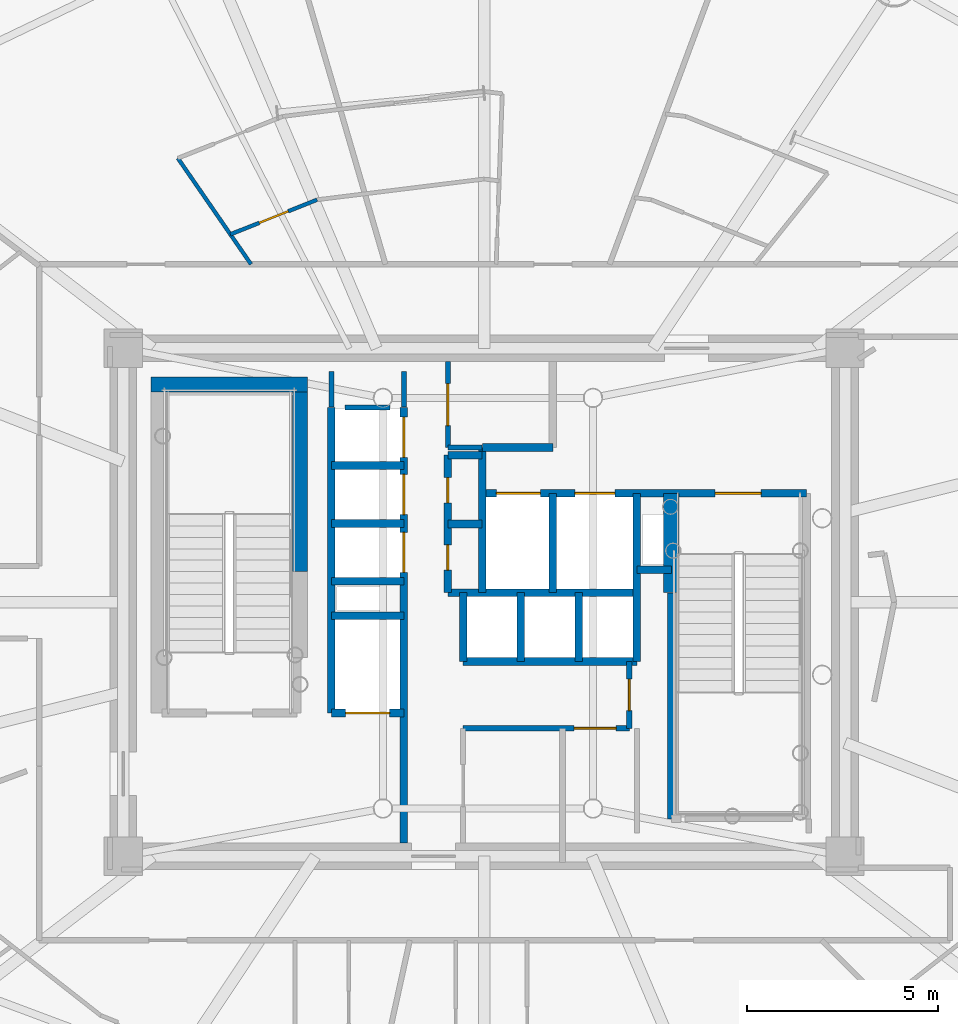
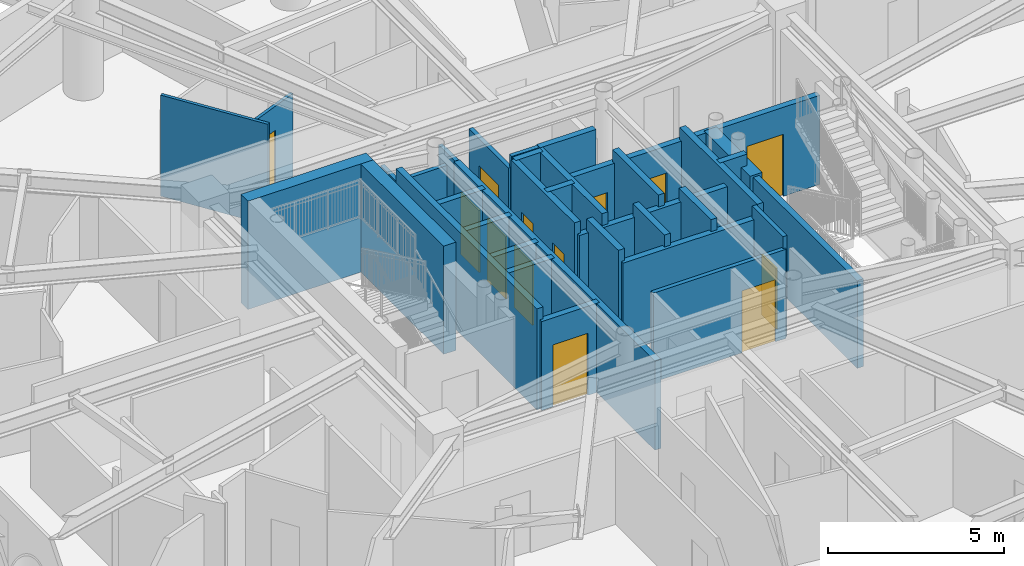
# One storey, part 11 of 22: 34 walls, 13 doors, 13 openings.
"""IFC4 building model written with IfcOpenShell, lengths in metres."""

import ifcopenshell
import ifcopenshell.guid

model = None  # the IFC model being written
_history = None  # IfcOwnerHistory: only IFC2X3 demands one
_inside = {}  # id of a spatial element -> (the spatial element, [elements in it])
_under = {}  # id of a project, library or spatial element -> (it, [spatial elements below it])
_declared = {}  # id of a project -> (the project, [libraries it declares])
_typed = {}  # id of a type object -> (the type object, [elements of that type])
_made_of = {}  # id of a material, layer set ... -> (it, [elements and type objects made of it])


def new_model(schema):
    """Start an empty IFC model of exactly this schema.

    Asked for "IFC4X3", IfcOpenShell would pick the latest addendum, in which some entities
    have other attributes; the version numbers below select the first issue.
    IFC2X3 requires an IfcOwnerHistory on every rooted entity: one is made here for all.
    """
    global model, _history
    if schema == "IFC4X3":
        model = ifcopenshell.file(schema_version=(4, 3, 0, 0))
    else:
        model = ifcopenshell.file(schema=schema)
    _inside.clear()
    _under.clear()
    _declared.clear()
    _typed.clear()
    _made_of.clear()
    _history = None
    if model.schema == "IFC2X3":
        org = make("IfcOrganization", Name="unknown")
        user = make(
            "IfcPersonAndOrganization",
            ThePerson=make("IfcPerson", FamilyName="unknown"),
            TheOrganization=org,
        )
        app = make(
            "IfcApplication",
            ApplicationDeveloper=org,
            Version="unknown",
            ApplicationFullName="unknown",
            ApplicationIdentifier="unknown",
        )
        _history = make(
            "IfcOwnerHistory",
            OwningUser=user,
            OwningApplication=app,
            ChangeAction="ADDED",
            CreationDate=0,
        )
    return model


def make(cls, **values):
    """One entity of the class cls with the attributes given. An attribute that is None is left unset."""
    return model.create_entity(
        cls, **{name: value for name, value in values.items() if value is not None}
    )


def rooted(cls, **values):
    """An entity with a GlobalId (a new one), such as an element, a storey or a relation."""
    return make(cls, GlobalId=ifcopenshell.guid.new(), OwnerHistory=_history, **values)


def si_unit(unit_type, name, prefix=None):
    """IfcSIUnit, for example si_unit("LENGTHUNIT", "METRE", prefix="MILLI")."""
    return make("IfcSIUnit", UnitType=unit_type, Prefix=prefix, Name=name)


def assignment(units):
    """IfcUnitAssignment: the units of a project."""
    return None if units is None else make("IfcUnitAssignment", Units=units)


def point(xyz):
    """IfcCartesianPoint."""
    return None if xyz is None else make("IfcCartesianPoint", Coordinates=xyz)


def direction(xyz):
    """IfcDirection."""
    return None if xyz is None else make("IfcDirection", DirectionRatios=xyz)


def frame(location, z_axis=None, x_axis=None):
    """IfcAxis2Placement3D, a coordinate frame: its origin and axes. An axis left out is left unset."""
    return make(
        "IfcAxis2Placement3D",
        Location=point(location),
        Axis=direction(z_axis),
        RefDirection=direction(x_axis),
    )


def frame_2d(location, x_axis=None):
    """IfcAxis2Placement2D, a coordinate frame in the plane: its origin and x axis."""
    return make(
        "IfcAxis2Placement2D", Location=point(location), RefDirection=direction(x_axis)
    )


def origin():
    """The frame at (0, 0, 0) with its axes left unset."""
    return frame((0.0, 0.0, 0.0))


def origin_2d():
    """The frame at (0, 0) in the plane with its x axis left unset."""
    return frame_2d((0.0, 0.0))


def place(relative_to, where):
    """IfcLocalPlacement: puts the frame where relative to a parent placement (None: the world)."""
    return make(
        "IfcLocalPlacement", PlacementRelTo=relative_to, RelativePlacement=where
    )


def context(
    kind, dimensions, precision=None, world=None, true_north=None, identifier=None
):
    """IfcGeometricRepresentationContext, for example the 3D "Model" context."""
    return make(
        "IfcGeometricRepresentationContext",
        ContextIdentifier=identifier,
        ContextType=kind,
        CoordinateSpaceDimension=dimensions,
        Precision=precision,
        WorldCoordinateSystem=world,
        TrueNorth=true_north,
    )


def subcontext(parent, identifier, kind, view, scale=None):
    """IfcGeometricRepresentationSubContext, for example "Body" below "Model"."""
    return make(
        "IfcGeometricRepresentationSubContext",
        ContextIdentifier=identifier,
        ContextType=kind,
        ParentContext=parent,
        TargetScale=scale,
        TargetView=view,
    )


def project(units=None, contexts=None):
    """IfcProject with its units and contexts."""
    return rooted(
        "IfcProject",
        Name="project",
        RepresentationContexts=contexts,
        UnitsInContext=assignment(units),
    )


def spatial(cls, under=None, at=None, **own):
    """A site, building, storey or space (cls), placed at a placement, below another one or the project."""
    s = rooted(cls, ObjectPlacement=at, **own)
    if under is not None:
        _under.setdefault(under.id(), (under, []))[1].append(s)
    return s


def profile(cls, at=None, kind="AREA", **sizes):
    """A parametric profile (cls). Its sizes go by their IFC names, for example OverallWidth=200.0."""
    return make(cls, ProfileType=kind, Position=at, **sizes)


def rectangle(**sizes):
    """IfcRectangleProfileDef."""
    return profile("IfcRectangleProfileDef", **sizes)


def extrude(swept, where, along, depth):
    """IfcExtrudedAreaSolid: the profile swept, set in the frame where, extruded along a direction by depth."""
    return make(
        "IfcExtrudedAreaSolid",
        SweptArea=swept,
        Position=where,
        ExtrudedDirection=direction(along),
        Depth=depth,
    )


def shape(context_of_items, identifier, shape_type, items):
    """IfcShapeRepresentation: the items that make up one representation, for example the "Body"."""
    return make(
        "IfcShapeRepresentation",
        ContextOfItems=context_of_items,
        RepresentationIdentifier=identifier,
        RepresentationType=shape_type,
        Items=items,
    )


def source(mapping_origin, context_of_items, identifier, shape_type, items):
    """IfcRepresentationMap: a shape defined once, which mapped items show again and again."""
    return make(
        "IfcRepresentationMap",
        MappingOrigin=mapping_origin,
        MappedRepresentation=shape(context_of_items, identifier, shape_type, items),
    )


def transform(
    local_origin,
    x_axis=None,
    y_axis=None,
    z_axis=None,
    scale=None,
    scale2=None,
    scale3=None,
    uniform=True,
):
    """IfcCartesianTransformationOperator3D, or its non-uniform kind. x_axis, y_axis, z_axis: its Axis1, 2, 3."""
    if uniform:
        return make(
            "IfcCartesianTransformationOperator3D",
            Axis1=direction(x_axis),
            Axis2=direction(y_axis),
            LocalOrigin=point(local_origin),
            Scale=scale,
            Axis3=direction(z_axis),
        )
    return make(
        "IfcCartesianTransformationOperator3DnonUniform",
        Axis1=direction(x_axis),
        Axis2=direction(y_axis),
        LocalOrigin=point(local_origin),
        Scale=scale,
        Axis3=direction(z_axis),
        Scale2=scale2,
        Scale3=scale3,
    )


def mapped(mapping_source, mapping_target):
    """IfcMappedItem: shows the shape of a source again, moved by a transform."""
    return make(
        "IfcMappedItem", MappingSource=mapping_source, MappingTarget=mapping_target
    )


def material(Name=None, Category=None):
    """IfcMaterial."""
    return make("IfcMaterial", Name=Name, Category=Category)


def layer(
    of_material, thickness, ventilated=None, Name=None, Category=None, Priority=None
):
    """IfcMaterialLayer: one layer of a wall or slab, of a material (None: an air gap)."""
    return make(
        "IfcMaterialLayer",
        Material=of_material,
        LayerThickness=thickness,
        IsVentilated=ventilated,
        Name=Name,
        Category=Category,
        Priority=Priority,
    )


def layer_set(layers, Name=None):
    """IfcMaterialLayerSet."""
    return make("IfcMaterialLayerSet", MaterialLayers=layers, LayerSetName=Name)


def made_of(thing, what):
    """Note that an element or type object is made of a material, layer set ...; save() writes the relation."""
    if what is not None:
        _made_of.setdefault(what.id(), (what, []))[1].append(thing)
    return thing


def type_object(cls, material=None, **own):
    """A type object (cls), such as IfcWallType, which elements share."""
    return made_of(rooted(cls, **own), material)


def element(
    cls,
    number,
    at=None,
    inside=None,
    cuts=None,
    type_object=None,
    material=None,
    context=None,
    identifier="Body",
    shape_type=None,
    held_by="IfcProductDefinitionShape",
    body=None,
    shapes=None,
    **own,
):
    """One element of the class cls, such as IfcWall. Its Tag is "e" and its number.

    at: its placement. inside: the storey or other place that contains it. cuts: it is an
    opening in that element (IfcRelVoidsElement). A single representation is given by context,
    identifier, shape_type and body (its items); several are given by shapes. held_by: the class
    of the entity that holds the representations. save() writes the other relations.
    """
    e = rooted(cls, Tag="e%d" % number, ObjectPlacement=at, **own)
    if body is not None:
        shapes = [shape(context, identifier, shape_type, body)]
    if shapes is not None:
        e.Representation = make(held_by, Representations=shapes)
    if inside is not None:
        _inside.setdefault(inside.id(), (inside, []))[1].append(e)
    if cuts is not None:
        rooted(
            "IfcRelVoidsElement", RelatingBuildingElement=cuts, RelatedOpeningElement=e
        )
    if type_object is not None:
        _typed.setdefault(type_object.id(), (type_object, []))[1].append(e)
    return made_of(e, material)


def fill(opening, filler):
    """IfcRelFillsElement: the door or window that sits in an opening."""
    return rooted(
        "IfcRelFillsElement",
        RelatingOpeningElement=opening,
        RelatedBuildingElement=filler,
    )


def aggregate(whole, parts):
    """IfcRelAggregates: a whole, such as a stair, and the parts it consists of."""
    return rooted("IfcRelAggregates", RelatingObject=whole, RelatedObjects=parts)


def save(model, path):
    """Write the relations noted so far, then the file.

    IfcRelAggregates (storeys below a building ...), IfcRelContainedInSpatialStructure (elements
    in a storey), IfcRelDefinesByType, IfcRelAssociatesMaterial and IfcRelDeclares: one each for
    every whole, place, type object, material and project.
    """
    for whole, parts in _under.values():
        aggregate(whole, parts)
    for where, things in _inside.values():
        rooted(
            "IfcRelContainedInSpatialStructure",
            RelatedElements=things,
            RelatingStructure=where,
        )
    for kind, things in _typed.values():
        rooted("IfcRelDefinesByType", RelatedObjects=things, RelatingType=kind)
    for what, things in _made_of.values():
        rooted("IfcRelAssociatesMaterial", RelatedObjects=things, RelatingMaterial=what)
    for by, libraries in _declared.values():
        rooted("IfcRelDeclares", RelatingContext=by, RelatedDefinitions=libraries)
    model.write(path)


model = new_model("IFC4")

# Units and contexts
model_context = context("Model", 3, precision=1e-05, world=origin(), true_north=direction((0.0, 1.0)))
body_context = subcontext(model_context, "Body", "Model", "MODEL_VIEW")
ifc_project = project(units=[si_unit("LENGTHUNIT", "METRE"), si_unit("AREAUNIT", "SQUARE_METRE"), si_unit("VOLUMEUNIT", "CUBIC_METRE"), si_unit("PLANEANGLEUNIT", "RADIAN"), si_unit("MASSUNIT", "GRAM", prefix="KILO")], contexts=[model_context])

# Site, building, storey
site_placement = place(None, origin())
site = spatial("IfcSite", under=ifc_project, at=site_placement, CompositionType="ELEMENT")
building_placement = place(site_placement, origin())
building = spatial("IfcBuilding", under=site, at=building_placement, Name="Linh Dai School and Residence Tower", CompositionType="ELEMENT")
storey_placement = place(building_placement, frame((0.0, 0.0, 214.050048828125)))
storey = spatial("IfcBuildingStorey", under=building, at=storey_placement, Name="L52", CompositionType="ELEMENT", Elevation=214.050048828125)

# Wall, opening, door
ifc_material_1 = material(Name="Autoclaved Aerated Concrete Blockwork", Category="masonry")
ifc_layer_1 = layer(ifc_material_1, 0.135009765625)
ifc_layer_set_1 = layer_set([ifc_layer_1], Name="Autoclaved Aerated Concrete Blockwork")
wall_type_1 = type_object("IfcWallType", Name="IW-CORR-135-EI90", PredefinedType="PARTITIONING", material=ifc_layer_set_1)
wall_1_placement = place(storey_placement, frame((35.050048828125, 31.050048828125, 0.0), z_axis=(0.0, 0.0, 1.0), x_axis=(0.0, 1.0, 0.0)))
wall_1 = element("IfcWall", 1, at=wall_1_placement, inside=storey, type_object=wall_type_1, Name="L52 Interior Partition Wall 049", PredefinedType="PARTITIONING", context=body_context, shape_type="SweptSolid", body=[
    extrude(rectangle(XDim=2.25, YDim=0.135009765625, at=frame_2d((1.125, 0.0))), origin(), (0.0, 0.0, 1.0), 3.0849609375),
])
opening_1_placement = place(wall_1_placement, frame((0.574951171875, 0.0, 0.0)))
opening_1 = element("IfcOpeningElement", 2, at=opening_1_placement, cuts=wall_1, Name="Opening D07", PredefinedType="OPENING", context=body_context, shape_type="SweptSolid", body=[
    extrude(rectangle(XDim=1.10009765625, YDim=2.14990234375, at=origin_2d()), frame((0.550048828125, 0.07763671875, 1.074951171875), z_axis=(0.0, -1.0, 0.0), x_axis=(1.0, 0.0, 0.0)), (0.0, 0.0, 1.0), 0.155029296875),
])
ifc_material_2 = material(Name="Fire-Rated Louvred Steel Plant Door", Category="steel")
door_type_1 = type_object("IfcDoorType", Name="DR-PLT-1100x2150-FD60S", OperationType="NOTDEFINED", PredefinedType="DOOR", material=ifc_material_2)
shared_shape_1 = source(origin(), body_context, "Body", "SweptSolid", [
    extrude(rectangle(XDim=1.10009765625, YDim=2.14990234375, at=origin_2d()), frame((0.550048828125, 0.02490234375, 1.074951171875), z_axis=(0.0, -1.0, 0.0), x_axis=(1.0, 0.0, 0.0)), (0.0, 0.0, 1.0), 0.050048828125),
])
door_1_placement = place(opening_1_placement, origin())
door_1 = element("IfcDoor", 3, at=door_1_placement, inside=storey, type_object=door_type_1, Name="L52 North BMS Switchroom Door", OperationType="SINGLE_SWING_LEFT", OverallHeight=2.14990234375, OverallWidth=1.10009765625, PredefinedType="DOOR", context=body_context, shape_type="MappedRepresentation", body=[
    mapped(shared_shape_1, transform((0.0, 0.0, 0.0), x_axis=(1.0, 0.0, 0.0), y_axis=(0.0, 1.0, 0.0), z_axis=(0.0, 0.0, 1.0), scale=1.0)),
])
fill(opening_1, door_1)

# Wall
wall_2_placement = place(storey_placement, frame((35.050048828125, 31.050048828125, 0.0), z_axis=(0.0, 0.0, 1.0), x_axis=(1.0, 0.0, 0.0)))
element("IfcWall", 4, at=wall_2_placement, inside=storey, type_object=wall_type_1, Name="L52 Interior Partition Wall 050", PredefinedType="PARTITIONING", context=body_context, shape_type="SweptSolid", body=[
    extrude(rectangle(XDim=0.89990234375, YDim=0.135009765625, at=frame_2d((0.449951171875, 0.0))), origin(), (0.0, 0.0, 1.0), 3.5),
])

# Wall, opening, door
wall_3_placement = place(storey_placement, frame((35.449951171875, 23.699951171875, 0.0), z_axis=(0.0, 0.0, 1.0), x_axis=(1.0, 0.0, 0.0)))
wall_3 = element("IfcWall", 5, at=wall_3_placement, inside=storey, type_object=wall_type_1, Name="L52 Interior Partition Wall 053", PredefinedType="PARTITIONING", context=body_context, shape_type="SweptSolid", body=[
    extrude(rectangle(XDim=4.35009765625, YDim=0.135009765625, at=frame_2d((2.175048828125, 0.0))), origin(), (0.0, 0.0, 1.0), 3.0849609375),
])
opening_2_placement = place(wall_3_placement, frame((2.905029296875, 0.0, 0.0)))
opening_2 = element("IfcOpeningElement", 6, at=opening_2_placement, cuts=wall_3, Name="Opening D07", PredefinedType="OPENING", context=body_context, shape_type="SweptSolid", body=[
    extrude(rectangle(XDim=1.10009765625, YDim=2.14990234375, at=origin_2d()), frame((0.550048828125, 0.07763671875, 1.074951171875), z_axis=(0.0, -1.0, 0.0), x_axis=(1.0, 0.0, 0.0)), (0.0, 0.0, 1.0), 0.155029296875),
])
door_2_placement = place(opening_2_placement, origin())
door_2 = element("IfcDoor", 7, at=door_2_placement, inside=storey, type_object=door_type_1, Name="L52 Telecom Node Room Door", OperationType="SINGLE_SWING_RIGHT", OverallHeight=2.14990234375, OverallWidth=1.10009765625, PredefinedType="DOOR", context=body_context, shape_type="MappedRepresentation", body=[
    mapped(shared_shape_1, transform((0.0, 0.0, 0.0), x_axis=(1.0, 0.0, 0.0), y_axis=(0.0, 1.0, 0.0), z_axis=(0.0, 0.0, 1.0), scale=1.0)),
])
fill(opening_2, door_2)

wall_4_placement = place(storey_placement, frame((39.800048828125, 23.699951171875, 0.0), z_axis=(0.0, 0.0, 1.0), x_axis=(0.0, 1.0, 0.0)))
wall_4 = element("IfcWall", 8, at=wall_4_placement, inside=storey, type_object=wall_type_1, Name="L52 Interior Partition Wall 071", PredefinedType="PARTITIONING", context=body_context, shape_type="SweptSolid", body=[
    extrude(rectangle(XDim=1.75, YDim=0.135009765625, at=frame_2d((0.875, 0.0))), origin(), (0.0, 0.0, 1.0), 3.5),
])
opening_3_placement = place(wall_4_placement, frame((0.465087890625, 0.0, 0.0)))
opening_3 = element("IfcOpeningElement", 9, at=opening_3_placement, cuts=wall_4, Name="Opening D06", PredefinedType="OPENING", context=body_context, shape_type="SweptSolid", body=[
    extrude(rectangle(XDim=0.820068359375, YDim=2.10009765625, at=origin_2d()), frame((0.41015625, 0.07763671875, 1.050048828125), z_axis=(0.0, -1.0, 0.0), x_axis=(1.0, 0.0, 0.0)), (0.0, 0.0, 1.0), 0.155029296875),
])
ifc_material_3 = material(Name="Moisture-Resistant Timber Bathroom Door", Category="wood")
door_type_2 = type_object("IfcDoorType", Name="DR-WET-820x2100", OperationType="NOTDEFINED", PredefinedType="DOOR", material=ifc_material_3)
shared_shape_2 = source(origin(), body_context, "Body", "SweptSolid", [
    extrude(rectangle(XDim=0.820068359375, YDim=2.10009765625, at=origin_2d()), frame((0.41015625, 0.02490234375, 1.050048828125), z_axis=(0.0, -1.0, 0.0), x_axis=(1.0, 0.0, 0.0)), (0.0, 0.0, 1.0), 0.050048828125),
])
door_3_placement = place(opening_3_placement, origin())
door_3 = element("IfcDoor", 10, at=door_3_placement, inside=storey, type_object=door_type_2, Name="L52 East Linen Store Door", OperationType="SINGLE_SWING_RIGHT", OverallHeight=2.10009765625, OverallWidth=0.820068359375, PredefinedType="DOOR", context=body_context, shape_type="MappedRepresentation", body=[
    mapped(shared_shape_2, transform((0.0, 0.0, 0.0), x_axis=(1.0, 0.0, 0.0), y_axis=(0.0, 1.0, 0.0), z_axis=(0.0, 0.0, 1.0), scale=1.0)),
])
fill(opening_3, door_3)

# Walls
wall_5_placement = place(storey_placement, frame((32.360107421875, 32.10009765625, 0.0), z_axis=(0.0, 0.0, 1.0), x_axis=(1.0, 0.0, 0.0)))
element("IfcWall", 11, at=wall_5_placement, inside=storey, type_object=wall_type_1, Name="L52 Interior Partition Wall 099", PredefinedType="PARTITIONING", context=body_context, shape_type="SweptSolid", body=[
    extrude(rectangle(XDim=1.179931640625, YDim=0.135009765625, at=frame_2d((0.58984375, 0.0))), origin(), (0.0, 0.0, 1.0), 3.0849609375),
])
wall_6_placement = place(storey_placement, frame((32.0, 33.0400390625, 0.0), z_axis=(0.0, 0.0, 1.0), x_axis=(0.0, -1.0, 0.0)))
element("IfcWall", 12, at=wall_6_placement, inside=storey, type_object=wall_type_1, Name="L52 Interior Partition Wall 101", PredefinedType="PARTITIONING", context=body_context, shape_type="SweptSolid", body=[
    extrude(rectangle(XDim=0.929931640625, YDim=0.135009765625, at=frame_2d((0.46484375, 0.0))), origin(), (0.0, 0.0, 1.0), 3.034912109375),
])
wall_7_placement = place(storey_placement, frame((33.89990234375, 32.110107421875, 0.0), z_axis=(0.0, 0.0, 1.0), x_axis=(0.0, 1.0, 0.0)))
element("IfcWall", 13, at=wall_7_placement, inside=storey, type_object=wall_type_1, Name="L52 Interior Partition Wall 103", PredefinedType="PARTITIONING", context=body_context, shape_type="SweptSolid", body=[
    extrude(rectangle(XDim=0.929931640625, YDim=0.135009765625, at=frame_2d((0.46484375, 0.0))), origin(), (0.0, 0.0, 1.0), 3.0849609375),
])
ifc_material_4 = material(Name="Concrete B45 (C35/45)", Category="concrete")
ifc_layer_2 = layer(ifc_material_4, 0.199951171875)
ifc_layer_set_2 = layer_set([ifc_layer_2], Name="Concrete B45 (C35/45)")
wall_type_2 = type_object("IfcWallType", Name="IW-SHAFT-200-EI120", PredefinedType="PARTITIONING", material=ifc_layer_set_2)
wall_8_placement = place(storey_placement, frame((32.0, 24.10009765625, 0.0), z_axis=(0.0, 0.0, 1.0), x_axis=(0.0, 1.0, 0.0)))
element("IfcWall", 14, at=wall_8_placement, inside=storey, type_object=wall_type_2, Name="L52 Interior Partition Wall 035", PredefinedType="PARTITIONING", context=body_context, shape_type="SweptSolid", body=[
    extrude(rectangle(XDim=8.0, YDim=0.199951171875, at=frame_2d((4.0, 0.0))), origin(), (0.0, 0.0, 1.0), 3.5),
])

# Wall, opening, door
wall_9_placement = place(storey_placement, frame((32.0, 24.10009765625, 0.0), z_axis=(0.0, 0.0, 1.0), x_axis=(1.0, 0.0, 0.0)))
wall_9 = element("IfcWall", 15, at=wall_9_placement, inside=storey, type_object=wall_type_2, Name="L52 Interior Partition Wall 036", PredefinedType="PARTITIONING", context=body_context, shape_type="SweptSolid", body=[
    extrude(rectangle(XDim=1.89990234375, YDim=0.199951171875, at=frame_2d((0.949951171875, 0.0))), origin(), (0.0, 0.0, 1.0), 3.0849609375),
])
opening_4_placement = place(wall_9_placement, frame((0.375, 0.0, 0.0)))
opening_4 = element("IfcOpeningElement", 16, at=opening_4_placement, cuts=wall_9, Name="Opening LD-FF2", PredefinedType="OPENING", context=body_context, shape_type="SweptSolid", body=[
    extrude(rectangle(XDim=1.14990234375, YDim=2.14990234375, at=origin_2d()), frame((0.574951171875, 0.10986328125, 1.074951171875), z_axis=(0.0, -1.0, 0.0), x_axis=(1.0, 0.0, 0.0)), (0.0, 0.0, 1.0), 0.219970703125),
])
ifc_material_5 = material(Name="Fire-Rated Stainless Steel Firefighting Lift Door", Category="steel")
door_type_3 = type_object("IfcDoorType", Name="DR-LD-FF-1150x2150-FD120", OperationType="DOUBLE_DOOR_SLIDING", PredefinedType="USERDEFINED", material=ifc_material_5)
shared_shape_3 = source(origin(), body_context, "Body", "SweptSolid", [
    extrude(rectangle(XDim=1.14990234375, YDim=2.14990234375, at=origin_2d()), frame((0.574951171875, 0.02490234375, 1.074951171875), z_axis=(0.0, -1.0, 0.0), x_axis=(1.0, 0.0, 0.0)), (0.0, 0.0, 1.0), 0.050048828125),
])
door_4_placement = place(opening_4_placement, origin())
door_4 = element("IfcDoor", 17, at=door_4_placement, inside=storey, type_object=door_type_3, Name="L52 Lift FF2 Sliding Landing Door", ObjectType="LANDING DOOR", OperationType="DOUBLE_DOOR_SLIDING", OverallHeight=2.14990234375, OverallWidth=1.14990234375, PredefinedType="USERDEFINED", context=body_context, shape_type="MappedRepresentation", body=[
    mapped(shared_shape_3, transform((0.0, 0.0, 0.0), x_axis=(1.0, 0.0, 0.0), y_axis=(0.0, 1.0, 0.0), z_axis=(0.0, 0.0, 1.0), scale=1.0)),
])
fill(opening_4, door_4)

# Walls
for number, where, z_axis, x_axis, name in (
    (18, (32.0, 26.64990234375, 0.0), (0.0, 0.0, 1.0), (1.0, 0.0, 0.0), "L52 Interior Partition Wall 037"),
    (19, (32.0, 27.550048828125, 0.0), (0.0, 0.0, 1.0), (1.0, 0.0, 0.0), "L52 Interior Partition Wall 038"),
    (20, (32.0, 29.06005859375, 0.0), (0.0, 0.0, 1.0), (1.0, 0.0, 0.0), "L52 Interior Partition Wall 039"),
    (21, (32.0, 30.580078125, 0.0), (0.0, 0.0, 1.0), (1.0, 0.0, 0.0), "L52 Interior Partition Wall 040"),
):
    element("IfcWall", number, at=place(storey_placement, frame(where, z_axis=z_axis, x_axis=x_axis)), inside=storey, type_object=wall_type_2, Name=name, PredefinedType="PARTITIONING", context=body_context, shape_type="SweptSolid", body=[
        extrude(rectangle(XDim=1.89990234375, YDim=0.199951171875, at=frame_2d((0.949951171875, 0.0))), origin(), (0.0, 0.0, 1.0), 3.0849609375),
    ])

# Wall, openings, doors
wall_10_placement = place(storey_placement, frame((33.89990234375, 20.699951171875, 0.0), z_axis=(0.0, 0.0, 1.0), x_axis=(0.0, 1.0, 0.0)))
wall_10 = element("IfcWall", 22, at=wall_10_placement, inside=storey, type_object=wall_type_2, Name="L52 Interior Partition Wall 044", PredefinedType="PARTITIONING", context=body_context, shape_type="SweptSolid", body=[
    extrude(rectangle(XDim=11.400146484375, YDim=0.199951171875, at=frame_2d((5.7001953125, 0.0))), origin(), (0.0, 0.0, 1.0), 3.0849609375),
])
opening_5_placement = place(wall_10_placement, frame((7.080078125, 0.0, 0.0)))
opening_5 = element("IfcOpeningElement", 23, at=opening_5_placement, cuts=wall_10, Name="Opening LD-PL4", PredefinedType="OPENING", context=body_context, shape_type="SweptSolid", body=[
    extrude(rectangle(XDim=1.050048828125, YDim=2.14990234375, at=origin_2d()), frame((0.52490234375, 0.10986328125, 1.074951171875), z_axis=(0.0, -1.0, 0.0), x_axis=(1.0, 0.0, 0.0)), (0.0, 0.0, 1.0), 0.219970703125),
])
opening_6_placement = place(wall_10_placement, frame((8.594970703125, 0.0, 0.0)))
opening_6 = element("IfcOpeningElement", 24, at=opening_6_placement, cuts=wall_10, Name="Opening LD-PL5", PredefinedType="OPENING", context=body_context, shape_type="SweptSolid", body=[
    extrude(rectangle(XDim=1.050048828125, YDim=2.14990234375, at=origin_2d()), frame((0.52490234375, 0.10986328125, 1.074951171875), z_axis=(0.0, -1.0, 0.0), x_axis=(1.0, 0.0, 0.0)), (0.0, 0.0, 1.0), 0.219970703125),
])
opening_7_placement = place(wall_10_placement, frame((10.094970703125, 0.0, 0.0)))
opening_7 = element("IfcOpeningElement", 25, at=opening_7_placement, cuts=wall_10, Name="Opening LD-PL6", PredefinedType="OPENING", context=body_context, shape_type="SweptSolid", body=[
    extrude(rectangle(XDim=1.050048828125, YDim=2.14990234375, at=origin_2d()), frame((0.52490234375, 0.10986328125, 1.074951171875), z_axis=(0.0, -1.0, 0.0), x_axis=(1.0, 0.0, 0.0)), (0.0, 0.0, 1.0), 0.219970703125),
])
ifc_material_6 = material(Name="Brushed Stainless Steel Lift Landing Door", Category="steel")
door_type_4 = type_object("IfcDoorType", Name="DR-LD-PASS-1050x2150", OperationType="DOUBLE_DOOR_SLIDING", PredefinedType="USERDEFINED", material=ifc_material_6)
shared_shape_4 = source(origin(), body_context, "Body", "SweptSolid", [
    extrude(rectangle(XDim=1.050048828125, YDim=2.14990234375, at=origin_2d()), frame((0.52490234375, 0.02490234375, 1.074951171875), z_axis=(0.0, -1.0, 0.0), x_axis=(1.0, 0.0, 0.0)), (0.0, 0.0, 1.0), 0.050048828125),
])
door_5_placement = place(opening_5_placement, origin())
door_5 = element("IfcDoor", 26, at=door_5_placement, inside=storey, type_object=door_type_4, Name="L52 Lift PL4 Sliding Landing Door", ObjectType="LANDING DOOR", OperationType="DOUBLE_DOOR_SLIDING", OverallHeight=2.14990234375, OverallWidth=1.050048828125, PredefinedType="USERDEFINED", context=body_context, shape_type="MappedRepresentation", body=[
    mapped(shared_shape_4, transform((0.0, 0.0, 0.0), x_axis=(1.0, 0.0, 0.0), y_axis=(0.0, 1.0, 0.0), z_axis=(0.0, 0.0, 1.0), scale=1.0)),
])
fill(opening_5, door_5)
door_6_placement = place(opening_6_placement, origin())
door_6 = element("IfcDoor", 27, at=door_6_placement, inside=storey, type_object=door_type_4, Name="L52 Lift PL5 Sliding Landing Door", ObjectType="LANDING DOOR", OperationType="DOUBLE_DOOR_SLIDING", OverallHeight=2.14990234375, OverallWidth=1.050048828125, PredefinedType="USERDEFINED", context=body_context, shape_type="MappedRepresentation", body=[
    mapped(shared_shape_4, transform((0.0, 0.0, 0.0), x_axis=(1.0, 0.0, 0.0), y_axis=(0.0, 1.0, 0.0), z_axis=(0.0, 0.0, 1.0), scale=1.0)),
])
fill(opening_6, door_6)
door_7_placement = place(opening_7_placement, origin())
door_7 = element("IfcDoor", 28, at=door_7_placement, inside=storey, type_object=door_type_4, Name="L52 Lift PL6 Sliding Landing Door", ObjectType="LANDING DOOR", OperationType="DOUBLE_DOOR_SLIDING", OverallHeight=2.14990234375, OverallWidth=1.050048828125, PredefinedType="USERDEFINED", context=body_context, shape_type="MappedRepresentation", body=[
    mapped(shared_shape_4, transform((0.0, 0.0, 0.0), x_axis=(1.0, 0.0, 0.0), y_axis=(0.0, 1.0, 0.0), z_axis=(0.0, 0.0, 1.0), scale=1.0)),
])
fill(opening_7, door_7)

wall_11_placement = place(storey_placement, frame((35.050048828125, 27.25, 0.0), z_axis=(0.0, 0.0, 1.0), x_axis=(0.0, 1.0, 0.0)))
wall_11 = element("IfcWall", 29, at=wall_11_placement, inside=storey, type_object=wall_type_2, Name="L52 Interior Partition Wall 045", PredefinedType="PARTITIONING", context=body_context, shape_type="SweptSolid", body=[
    extrude(rectangle(XDim=3.60009765625, YDim=0.199951171875, at=frame_2d((1.800048828125, 0.0))), origin(), (0.0, 0.0, 1.0), 3.5),
])
opening_8_placement = place(wall_11_placement, frame((0.590087890625, 0.0, 0.0)))
opening_8 = element("IfcOpeningElement", 30, at=opening_8_placement, cuts=wall_11, Name="Opening AD1", PredefinedType="OPENING", context=body_context, shape_type="SweptSolid", body=[
    extrude(rectangle(XDim=0.659912109375, YDim=2.050048828125, at=origin_2d()), frame((0.330078125, 0.10986328125, 1.02490234375), z_axis=(0.0, -1.0, 0.0), x_axis=(1.0, 0.0, 0.0)), (0.0, 0.0, 1.0), 0.219970703125),
])
opening_9_placement = place(wall_11_placement, frame((2.35009765625, 0.0, 0.0)))
opening_9 = element("IfcOpeningElement", 31, at=opening_9_placement, cuts=wall_11, Name="Opening AD1", PredefinedType="OPENING", context=body_context, shape_type="SweptSolid", body=[
    extrude(rectangle(XDim=0.659912109375, YDim=2.050048828125, at=origin_2d()), frame((0.330078125, 0.10986328125, 1.02490234375), z_axis=(0.0, -1.0, 0.0), x_axis=(1.0, 0.0, 0.0)), (0.0, 0.0, 1.0), 0.219970703125),
])
ifc_material_7 = material(Name="Fire-Rated Steel Riser Access Door", Category="steel")
door_type_5 = type_object("IfcDoorType", Name="DR-ACC-660x2050-FD90S", OperationType="NOTDEFINED", PredefinedType="USERDEFINED", material=ifc_material_7)
shared_shape_5 = source(origin(), body_context, "Body", "SweptSolid", [
    extrude(rectangle(XDim=0.659912109375, YDim=2.050048828125, at=origin_2d()), frame((0.330078125, 0.02490234375, 1.02490234375), z_axis=(0.0, -1.0, 0.0), x_axis=(1.0, 0.0, 0.0)), (0.0, 0.0, 1.0), 0.050048828125),
])
door_8_placement = place(opening_8_placement, origin())
door_8 = element("IfcDoor", 32, at=door_8_placement, inside=storey, type_object=door_type_5, Name="L52 Telecom and Data Riser Access Door", ObjectType="ACCESS DOOR", OperationType="SINGLE_SWING_LEFT", OverallHeight=2.050048828125, OverallWidth=0.659912109375, PredefinedType="USERDEFINED", context=body_context, shape_type="MappedRepresentation", body=[
    mapped(shared_shape_5, transform((0.0, 0.0, 0.0), x_axis=(1.0, 0.0, 0.0), y_axis=(0.0, 1.0, 0.0), z_axis=(0.0, 0.0, 1.0), scale=1.0)),
])
fill(opening_8, door_8)
door_9_placement = place(opening_9_placement, origin())
door_9 = element("IfcDoor", 33, at=door_9_placement, inside=storey, type_object=door_type_5, Name="L52 Mechanical and Plumbing Riser Access Door", ObjectType="ACCESS DOOR", OperationType="SINGLE_SWING_RIGHT", OverallHeight=2.050048828125, OverallWidth=0.659912109375, PredefinedType="USERDEFINED", context=body_context, shape_type="MappedRepresentation", body=[
    mapped(shared_shape_5, transform((0.0, 0.0, 0.0), x_axis=(1.0, 0.0, 0.0), y_axis=(0.0, 1.0, 0.0), z_axis=(0.0, 0.0, 1.0), scale=1.0)),
])
fill(opening_9, door_9)

# Walls
wall_12_placement = place(storey_placement, frame((35.050048828125, 27.25, 0.0), z_axis=(0.0, 0.0, 1.0), x_axis=(1.0, 0.0, 0.0)))
element("IfcWall", 34, at=wall_12_placement, inside=storey, type_object=wall_type_2, Name="L52 Interior Partition Wall 046", PredefinedType="PARTITIONING", context=body_context, shape_type="SweptSolid", body=[
    extrude(rectangle(XDim=4.949951171875, YDim=0.199951171875, at=frame_2d((2.47509765625, 0.0))), origin(), (0.0, 0.0, 1.0), 3.0849609375),
])
for number, where, z_axis, x_axis, name in (
    (35, (35.050048828125, 29.050048828125, 0.0), (0.0, 0.0, 1.0), (1.0, 0.0, 0.0), "L52 Interior Partition Wall 047"),
    (36, (35.050048828125, 30.85009765625, 0.0), (0.0, 0.0, 1.0), (1.0, 0.0, 0.0), "L52 Interior Partition Wall 048"),
):
    element("IfcWall", number, at=place(storey_placement, frame(where, z_axis=z_axis, x_axis=x_axis)), inside=storey, type_object=wall_type_2, Name=name, PredefinedType="PARTITIONING", context=body_context, shape_type="SweptSolid", body=[
        extrude(rectangle(XDim=0.89990234375, YDim=0.199951171875, at=frame_2d((0.449951171875, 0.0))), origin(), (0.0, 0.0, 1.0), 3.5),
    ])
wall_13_placement = place(storey_placement, frame((35.449951171875, 25.449951171875, 0.0), z_axis=(0.0, 0.0, 1.0), x_axis=(0.0, 1.0, 0.0)))
element("IfcWall", 37, at=wall_13_placement, inside=storey, type_object=wall_type_2, Name="L52 Interior Partition Wall 054", PredefinedType="PARTITIONING", context=body_context, shape_type="SweptSolid", body=[
    extrude(rectangle(XDim=1.800048828125, YDim=0.199951171875, at=frame_2d((0.89990234375, 0.0))), origin(), (0.0, 0.0, 1.0), 3.5),
])
wall_14_placement = place(storey_placement, frame((35.449951171875, 25.449951171875, 0.0), z_axis=(0.0, 0.0, 1.0), x_axis=(1.0, 0.0, 0.0)))
element("IfcWall", 38, at=wall_14_placement, inside=storey, type_object=wall_type_2, Name="L52 Interior Partition Wall 055", PredefinedType="PARTITIONING", context=body_context, shape_type="SweptSolid", body=[
    extrude(rectangle(XDim=4.550048828125, YDim=0.199951171875, at=frame_2d((2.27490234375, 0.0))), origin(), (0.0, 0.0, 1.0), 3.0849609375),
])
wall_15_placement = place(storey_placement, frame((35.949951171875, 27.25, 0.0), z_axis=(0.0, 0.0, 1.0), x_axis=(0.0, 1.0, 0.0)))
element("IfcWall", 39, at=wall_15_placement, inside=storey, type_object=wall_type_2, Name="L52 Interior Partition Wall 056", PredefinedType="PARTITIONING", context=body_context, shape_type="SweptSolid", body=[
    extrude(rectangle(XDim=3.800048828125, YDim=0.199951171875, at=frame_2d((1.89990234375, 0.0))), origin(), (0.0, 0.0, 1.0), 3.5),
])

# Wall, openings, doors
wall_16_placement = place(storey_placement, frame((35.949951171875, 29.85009765625, 0.0), z_axis=(0.0, 0.0, 1.0), x_axis=(1.0, 0.0, 0.0)))
wall_16 = element("IfcWall", 40, at=wall_16_placement, inside=storey, type_object=wall_type_2, Name="L52 Interior Partition Wall 057", PredefinedType="PARTITIONING", context=body_context, shape_type="SweptSolid", body=[
    extrude(rectangle(XDim=8.489990234375, YDim=0.199951171875, at=frame_2d((4.2451171875, 0.0))), origin(), (0.0, 0.0, 1.0), 3.0849609375),
])
opening_10_placement = place(wall_16_placement, frame((6.10009765625, 0.0, 0.0)))
opening_10 = element("IfcOpeningElement", 41, at=opening_10_placement, cuts=wall_16, Name="Opening D01", PredefinedType="OPENING", context=body_context, shape_type="SweptSolid", body=[
    extrude(rectangle(XDim=1.199951171875, YDim=2.14990234375, at=origin_2d()), frame((0.60009765625, 0.10986328125, 1.074951171875), z_axis=(0.0, -1.0, 0.0), x_axis=(1.0, 0.0, 0.0)), (0.0, 0.0, 1.0), 0.219970703125),
])
opening_11_placement = place(wall_16_placement, frame((0.3701171875, 0.0, 0.0)))
opening_11 = element("IfcOpeningElement", 42, at=opening_11_placement, cuts=wall_16, Name="Opening LD-FF1", PredefinedType="OPENING", context=body_context, shape_type="SweptSolid", body=[
    extrude(rectangle(XDim=1.14990234375, YDim=2.14990234375, at=origin_2d()), frame((0.574951171875, 0.10986328125, 1.074951171875), z_axis=(0.0, -1.0, 0.0), x_axis=(1.0, 0.0, 0.0)), (0.0, 0.0, 1.0), 0.219970703125),
])
opening_12_placement = place(wall_16_placement, frame((2.425048828125, 0.0, 0.0)))
opening_12 = element("IfcOpeningElement", 43, at=opening_12_placement, cuts=wall_16, Name="Opening LD-SV1", PredefinedType="OPENING", context=body_context, shape_type="SweptSolid", body=[
    extrude(rectangle(XDim=1.050048828125, YDim=2.14990234375, at=origin_2d()), frame((0.52490234375, 0.10986328125, 1.074951171875), z_axis=(0.0, -1.0, 0.0), x_axis=(1.0, 0.0, 0.0)), (0.0, 0.0, 1.0), 0.219970703125),
])
ifc_material_8 = material(Name="Fire-Rated Steel Door Leaf", Category="steel")
door_type_6 = type_object("IfcDoorType", Name="DR-STAIR-1200x2150-FD90S", OperationType="NOTDEFINED", PredefinedType="DOOR", material=ifc_material_8)
shared_shape_6 = source(origin(), body_context, "Body", "SweptSolid", [
    extrude(rectangle(XDim=1.199951171875, YDim=2.14990234375, at=origin_2d()), frame((0.60009765625, 0.02490234375, 1.074951171875), z_axis=(0.0, -1.0, 0.0), x_axis=(1.0, 0.0, 0.0)), (0.0, 0.0, 1.0), 0.050048828125),
])
door_10_placement = place(opening_10_placement, origin())
door_10 = element("IfcDoor", 44, at=door_10_placement, inside=storey, type_object=door_type_6, Name="L52 Core Smokeproof Exit Stair ST2 Door", OperationType="SINGLE_SWING_LEFT", OverallHeight=2.14990234375, OverallWidth=1.199951171875, PredefinedType="DOOR", context=body_context, shape_type="MappedRepresentation", body=[
    mapped(shared_shape_6, transform((0.0, 0.0, 0.0), x_axis=(1.0, 0.0, 0.0), y_axis=(0.0, 1.0, 0.0), z_axis=(0.0, 0.0, 1.0), scale=1.0)),
])
fill(opening_10, door_10)
door_11_placement = place(opening_11_placement, origin())
door_11 = element("IfcDoor", 45, at=door_11_placement, inside=storey, type_object=door_type_3, Name="L52 Lift FF1 Sliding Landing Door", ObjectType="LANDING DOOR", OperationType="DOUBLE_DOOR_SLIDING", OverallHeight=2.14990234375, OverallWidth=1.14990234375, PredefinedType="USERDEFINED", context=body_context, shape_type="MappedRepresentation", body=[
    mapped(shared_shape_3, transform((0.0, 0.0, 0.0), x_axis=(1.0, 0.0, 0.0), y_axis=(0.0, 1.0, 0.0), z_axis=(0.0, 0.0, 1.0), scale=1.0)),
])
fill(opening_11, door_11)
door_12_placement = place(opening_12_placement, origin())
door_12 = element("IfcDoor", 46, at=door_12_placement, inside=storey, type_object=door_type_4, Name="L52 Lift SV1 Sliding Landing Door", ObjectType="LANDING DOOR", OperationType="DOUBLE_DOOR_SLIDING", OverallHeight=2.14990234375, OverallWidth=1.050048828125, PredefinedType="USERDEFINED", context=body_context, shape_type="MappedRepresentation", body=[
    mapped(shared_shape_4, transform((0.0, 0.0, 0.0), x_axis=(1.0, 0.0, 0.0), y_axis=(0.0, 1.0, 0.0), z_axis=(0.0, 0.0, 1.0), scale=1.0)),
])
fill(opening_12, door_12)

# Walls
wall_17_placement = place(storey_placement, frame((35.9599609375, 31.050048828125, 0.0), z_axis=(0.0, 0.0, 1.0), x_axis=(1.0, 0.0, 0.0)))
element("IfcWall", 47, at=wall_17_placement, inside=storey, type_object=wall_type_2, Name="L52 Interior Partition Wall 058", PredefinedType="PARTITIONING", context=body_context, shape_type="SweptSolid", body=[
    extrude(rectangle(XDim=1.840087890625, YDim=0.199951171875, at=frame_2d((0.919921875, 0.0))), origin(), (0.0, 0.0, 1.0), 3.5),
])
wall_18_placement = place(storey_placement, frame((36.9599609375, 25.449951171875, 0.0), z_axis=(0.0, 0.0, 1.0), x_axis=(0.0, 1.0, 0.0)))
element("IfcWall", 48, at=wall_18_placement, inside=storey, type_object=wall_type_2, Name="L52 Interior Partition Wall 063", PredefinedType="PARTITIONING", context=body_context, shape_type="SweptSolid", body=[
    extrude(rectangle(XDim=1.800048828125, YDim=0.199951171875, at=frame_2d((0.89990234375, 0.0))), origin(), (0.0, 0.0, 1.0), 3.5),
])
wall_19_placement = place(storey_placement, frame((37.800048828125, 27.25, 0.0), z_axis=(0.0, 0.0, 1.0), x_axis=(0.0, 1.0, 0.0)))
element("IfcWall", 49, at=wall_19_placement, inside=storey, type_object=wall_type_2, Name="L52 Interior Partition Wall 065", PredefinedType="PARTITIONING", context=body_context, shape_type="SweptSolid", body=[
    extrude(rectangle(XDim=2.60009765625, YDim=0.199951171875, at=frame_2d((1.300048828125, 0.0))), origin(), (0.0, 0.0, 1.0), 3.5),
])
wall_20_placement = place(storey_placement, frame((38.47998046875, 25.449951171875, 0.0), z_axis=(0.0, 0.0, 1.0), x_axis=(0.0, 1.0, 0.0)))
element("IfcWall", 50, at=wall_20_placement, inside=storey, type_object=wall_type_2, Name="L52 Interior Partition Wall 068", PredefinedType="PARTITIONING", context=body_context, shape_type="SweptSolid", body=[
    extrude(rectangle(XDim=1.800048828125, YDim=0.199951171875, at=frame_2d((0.89990234375, 0.0))), origin(), (0.0, 0.0, 1.0), 3.5),
])
wall_21_placement = place(storey_placement, frame((40.0, 25.449951171875, 0.0), z_axis=(0.0, 0.0, 1.0), x_axis=(0.0, 1.0, 0.0)))
element("IfcWall", 51, at=wall_21_placement, inside=storey, type_object=wall_type_2, Name="L52 Interior Partition Wall 073", PredefinedType="PARTITIONING", context=body_context, shape_type="SweptSolid", body=[
    extrude(rectangle(XDim=4.400146484375, YDim=0.199951171875, at=frame_2d((2.2001953125, 0.0))), origin(), (0.0, 0.0, 1.0), 3.5),
])
wall_22_placement = place(storey_placement, frame((40.0, 27.85009765625, 0.0), z_axis=(0.0, 0.0, 1.0), x_axis=(1.0, 0.0, 0.0)))
element("IfcWall", 52, at=wall_22_placement, inside=storey, type_object=wall_type_2, Name="L52 Interior Partition Wall 074", PredefinedType="PARTITIONING", context=body_context, shape_type="SweptSolid", body=[
    extrude(rectangle(XDim=0.89990234375, YDim=0.199951171875, at=frame_2d((0.449951171875, 0.0))), origin(), (0.0, 0.0, 1.0), 3.5),
])
wall_23_placement = place(storey_placement, frame((40.89990234375, 21.330078125, 0.0), z_axis=(0.0, 0.0, 1.0), x_axis=(0.0, 1.0, 0.0)))
element("IfcWall", 53, at=wall_23_placement, inside=storey, type_object=wall_type_2, Name="L52 Interior Partition Wall 077", PredefinedType="PARTITIONING", context=body_context, shape_type="SweptSolid", body=[
    extrude(rectangle(XDim=5.909912109375, YDim=0.199951171875, at=frame_2d((2.955078125, 0.0))), origin(), (0.0, 0.0, 1.0), 3.034912109375),
])
ifc_material_9 = material(Name="Gypsum Plasterboard Acoustic Stud Partition", Category="masonry")
ifc_layer_3 = layer(ifc_material_9, 0.10009765625)
ifc_layer_set_3 = layer_set([ifc_layer_3], Name="Gypsum Plasterboard Acoustic Stud Partition")
wall_type_3 = type_object("IfcWallType", Name="IW-UNIT-100", PredefinedType="PARTITIONING", material=ifc_layer_set_3)
wall_24_placement = place(storey_placement, frame((27.98193359375, 38.625732421875, 0.0), z_axis=(0.0, 0.0, 1.0), x_axis=(0.56776340906, -0.823191782838, 0.0)))
element("IfcWall", 54, at=wall_24_placement, inside=storey, type_object=wall_type_3, Name="L52 Interior Partition Wall 026", PredefinedType="PARTITIONING", context=body_context, shape_type="SweptSolid", body=[
    extrude(rectangle(XDim=3.3720703125, YDim=0.10009765625, at=frame_2d((1.68603515625, 0.0))), origin(), (0.0, 0.0, 1.0), 3.5),
])

# Wall, opening, door
wall_25_placement = place(storey_placement, frame((29.3564453125, 36.6328125, 0.0), z_axis=(0.0, 0.0, 1.0), x_axis=(0.928806968298, 0.370563915731, 0.0)))
wall_25 = element("IfcWall", 55, at=wall_25_placement, inside=storey, type_object=wall_type_3, Name="L52 Interior Partition Wall 028", PredefinedType="PARTITIONING", context=body_context, shape_type="SweptSolid", body=[
    extrude(rectangle(XDim=2.4443359375, YDim=0.10009765625, at=frame_2d((1.22216796875, 0.0))), origin(), (0.0, 0.0, 1.0), 2.93505859375),
])
opening_13_placement = place(wall_25_placement, frame((0.81201171875, 0.0, 0.0)))
opening_13 = element("IfcOpeningElement", 56, at=opening_13_placement, cuts=wall_25, Name="Opening D06", PredefinedType="OPENING", context=body_context, shape_type="SweptSolid", body=[
    extrude(rectangle(XDim=0.820068359375, YDim=2.10009765625, at=origin_2d()), frame((0.41015625, 0.06005859375, 1.050048828125), z_axis=(0.0, -1.0, 0.0), x_axis=(1.0, 0.0, 0.0)), (0.0, 0.0, 1.0), 0.1201171875),
])
door_13_placement = place(opening_13_placement, origin())
door_13 = element("IfcDoor", 57, at=door_13_placement, inside=storey, type_object=door_type_2, Name="L52 Apartment U5203 Bathroom Door", OperationType="SINGLE_SWING_RIGHT", OverallHeight=2.10009765625, OverallWidth=0.820068359375, PredefinedType="DOOR", context=body_context, shape_type="MappedRepresentation", body=[
    mapped(shared_shape_2, transform((0.0, 0.0, 0.0), x_axis=(1.0, 0.0, 0.0), y_axis=(0.0, 1.0, 0.0), z_axis=(0.0, 0.0, 1.0), scale=1.0)),
])
fill(opening_13, door_13)

# Walls
ifc_layer_4 = layer(ifc_material_4, 0.39990234375)
ifc_layer_set_4 = layer_set([ifc_layer_4], Name="Concrete B45 (C35/45)")
wall_type_4 = type_object("IfcWallType", Name="WL-CORE400", PredefinedType="SHEAR", material=ifc_layer_set_4)
wall_26_placement = place(storey_placement, frame((31.179931640625, 27.800048828125, 0.0), z_axis=(0.0, 0.0, 1.0), x_axis=(0.0, 1.0, 0.0)))
element("IfcWall", 58, at=wall_26_placement, inside=storey, type_object=wall_type_4, Name="L52 Core Stair ST1 Bearing Wall E", PredefinedType="SHEAR", context=body_context, shape_type="SweptSolid", body=[
    extrude(rectangle(XDim=4.89990234375, YDim=0.39990234375, at=frame_2d((2.449951171875, 0.0))), origin(), (0.0, 0.0, 1.0), 3.75),
])
wall_27_placement = place(storey_placement, frame((27.280029296875, 32.699951171875, 0.0), z_axis=(0.0, 0.0, 1.0), x_axis=(1.0, 0.0, 0.0)))
element("IfcWall", 59, at=wall_27_placement, inside=storey, type_object=wall_type_4, Name="L52 Core Stair ST1 Bearing Wall N", PredefinedType="SHEAR", context=body_context, shape_type="SweptSolid", body=[
    extrude(rectangle(XDim=4.099853515625, YDim=0.39990234375, at=frame_2d((2.0498046875, 0.0))), origin(), (0.0, 0.0, 1.0), 3.75),
])
wall_28_placement = place(storey_placement, frame((40.89990234375, 27.25, 0.0), z_axis=(0.0, 0.0, 1.0), x_axis=(0.0, 1.0, 0.0)))
element("IfcWall", 60, at=wall_28_placement, inside=storey, type_object=wall_type_4, Name="L52 Internal Core Shear Wall IE", PredefinedType="SHEAR", context=body_context, shape_type="SweptSolid", body=[
    extrude(rectangle(XDim=2.60009765625, YDim=0.39990234375, at=frame_2d((1.300048828125, 0.0))), origin(), (0.0, 0.0, 1.0), 3.099853515625),
])

save(model, "model.ifc")
